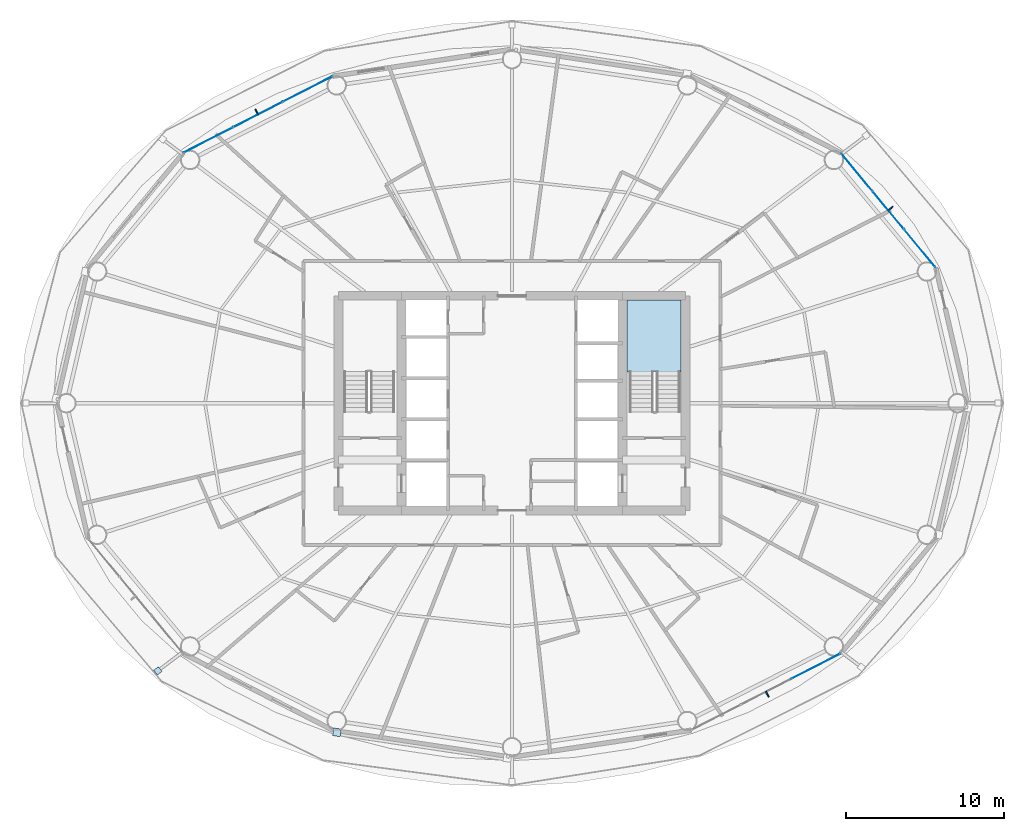
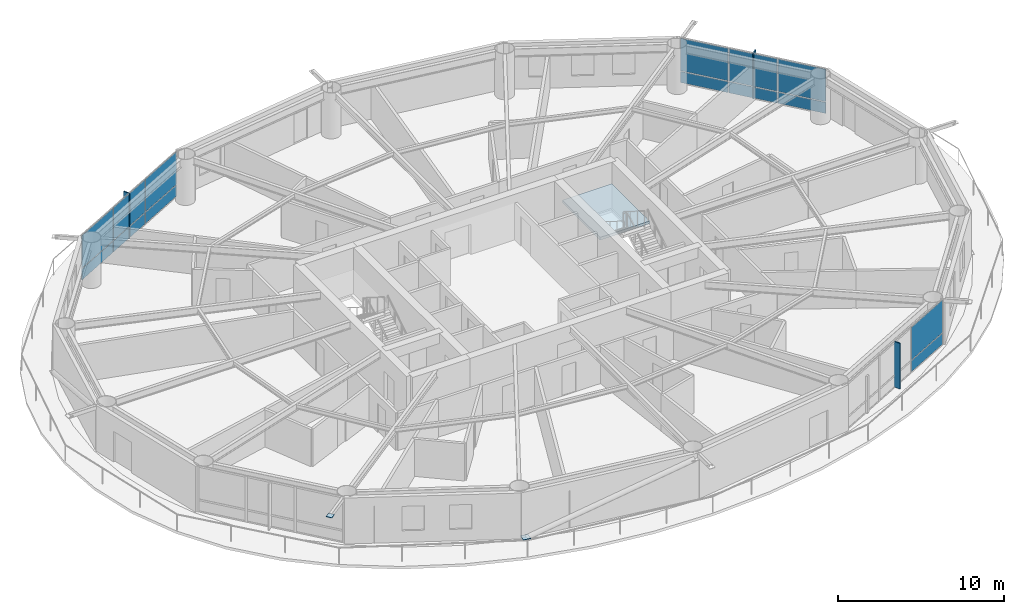
# One storey, part 16 of 24: 19 plates, 1 slab, 4 elements without a shape of their own.
"""IFC4 building model written with IfcOpenShell, lengths in metres."""

import ifcopenshell
import ifcopenshell.guid

model = None  # the IFC model being written
_history = None  # IfcOwnerHistory: only IFC2X3 demands one
_inside = {}  # id of a spatial element -> (the spatial element, [elements in it])
_under = {}  # id of a project, library or spatial element -> (it, [spatial elements below it])
_declared = {}  # id of a project -> (the project, [libraries it declares])
_typed = {}  # id of a type object -> (the type object, [elements of that type])
_made_of = {}  # id of a material, layer set ... -> (it, [elements and type objects made of it])


def new_model(schema):
    """Start an empty IFC model of exactly this schema.

    Asked for "IFC4X3", IfcOpenShell would pick the latest addendum, in which some entities
    have other attributes; the version numbers below select the first issue.
    IFC2X3 requires an IfcOwnerHistory on every rooted entity: one is made here for all.
    """
    global model, _history
    if schema == "IFC4X3":
        model = ifcopenshell.file(schema_version=(4, 3, 0, 0))
    else:
        model = ifcopenshell.file(schema=schema)
    _inside.clear()
    _under.clear()
    _declared.clear()
    _typed.clear()
    _made_of.clear()
    _history = None
    if model.schema == "IFC2X3":
        org = make("IfcOrganization", Name="unknown")
        user = make(
            "IfcPersonAndOrganization",
            ThePerson=make("IfcPerson", FamilyName="unknown"),
            TheOrganization=org,
        )
        app = make(
            "IfcApplication",
            ApplicationDeveloper=org,
            Version="unknown",
            ApplicationFullName="unknown",
            ApplicationIdentifier="unknown",
        )
        _history = make(
            "IfcOwnerHistory",
            OwningUser=user,
            OwningApplication=app,
            ChangeAction="ADDED",
            CreationDate=0,
        )
    return model


def make(cls, **values):
    """One entity of the class cls with the attributes given. An attribute that is None is left unset."""
    return model.create_entity(
        cls, **{name: value for name, value in values.items() if value is not None}
    )


def rooted(cls, **values):
    """An entity with a GlobalId (a new one), such as an element, a storey or a relation."""
    return make(cls, GlobalId=ifcopenshell.guid.new(), OwnerHistory=_history, **values)


def si_unit(unit_type, name, prefix=None):
    """IfcSIUnit, for example si_unit("LENGTHUNIT", "METRE", prefix="MILLI")."""
    return make("IfcSIUnit", UnitType=unit_type, Prefix=prefix, Name=name)


def assignment(units):
    """IfcUnitAssignment: the units of a project."""
    return None if units is None else make("IfcUnitAssignment", Units=units)


def point(xyz):
    """IfcCartesianPoint."""
    return None if xyz is None else make("IfcCartesianPoint", Coordinates=xyz)


def direction(xyz):
    """IfcDirection."""
    return None if xyz is None else make("IfcDirection", DirectionRatios=xyz)


def frame(location, z_axis=None, x_axis=None):
    """IfcAxis2Placement3D, a coordinate frame: its origin and axes. An axis left out is left unset."""
    return make(
        "IfcAxis2Placement3D",
        Location=point(location),
        Axis=direction(z_axis),
        RefDirection=direction(x_axis),
    )


def frame_2d(location, x_axis=None):
    """IfcAxis2Placement2D, a coordinate frame in the plane: its origin and x axis."""
    return make(
        "IfcAxis2Placement2D", Location=point(location), RefDirection=direction(x_axis)
    )


def origin():
    """The frame at (0, 0, 0) with its axes left unset."""
    return frame((0.0, 0.0, 0.0))


def origin_2d():
    """The frame at (0, 0) in the plane with its x axis left unset."""
    return frame_2d((0.0, 0.0))


def place(relative_to, where):
    """IfcLocalPlacement: puts the frame where relative to a parent placement (None: the world)."""
    return make(
        "IfcLocalPlacement", PlacementRelTo=relative_to, RelativePlacement=where
    )


def context(
    kind, dimensions, precision=None, world=None, true_north=None, identifier=None
):
    """IfcGeometricRepresentationContext, for example the 3D "Model" context."""
    return make(
        "IfcGeometricRepresentationContext",
        ContextIdentifier=identifier,
        ContextType=kind,
        CoordinateSpaceDimension=dimensions,
        Precision=precision,
        WorldCoordinateSystem=world,
        TrueNorth=true_north,
    )


def subcontext(parent, identifier, kind, view, scale=None):
    """IfcGeometricRepresentationSubContext, for example "Body" below "Model"."""
    return make(
        "IfcGeometricRepresentationSubContext",
        ContextIdentifier=identifier,
        ContextType=kind,
        ParentContext=parent,
        TargetScale=scale,
        TargetView=view,
    )


def project(units=None, contexts=None):
    """IfcProject with its units and contexts."""
    return rooted(
        "IfcProject",
        Name="project",
        RepresentationContexts=contexts,
        UnitsInContext=assignment(units),
    )


def spatial(cls, under=None, at=None, **own):
    """A site, building, storey or space (cls), placed at a placement, below another one or the project."""
    s = rooted(cls, ObjectPlacement=at, **own)
    if under is not None:
        _under.setdefault(under.id(), (under, []))[1].append(s)
    return s


def polyline(points):
    """IfcPolyline through the points."""
    return make("IfcPolyline", Points=[point(p) for p in points])


def profile(cls, at=None, kind="AREA", **sizes):
    """A parametric profile (cls). Its sizes go by their IFC names, for example OverallWidth=200.0."""
    return make(cls, ProfileType=kind, Position=at, **sizes)


def rectangle(**sizes):
    """IfcRectangleProfileDef."""
    return profile("IfcRectangleProfileDef", **sizes)


def outline(outer, holes=None, kind="AREA"):
    """IfcArbitraryClosedProfileDef: a profile drawn as a closed curve; with holes, ...WithVoids."""
    if holes is None:
        return make("IfcArbitraryClosedProfileDef", ProfileType=kind, OuterCurve=outer)
    return make(
        "IfcArbitraryProfileDefWithVoids",
        ProfileType=kind,
        OuterCurve=outer,
        InnerCurves=holes,
    )


def extrude(swept, where, along, depth):
    """IfcExtrudedAreaSolid: the profile swept, set in the frame where, extruded along a direction by depth."""
    return make(
        "IfcExtrudedAreaSolid",
        SweptArea=swept,
        Position=where,
        ExtrudedDirection=direction(along),
        Depth=depth,
    )


def shape(context_of_items, identifier, shape_type, items):
    """IfcShapeRepresentation: the items that make up one representation, for example the "Body"."""
    return make(
        "IfcShapeRepresentation",
        ContextOfItems=context_of_items,
        RepresentationIdentifier=identifier,
        RepresentationType=shape_type,
        Items=items,
    )


def material(Name=None, Category=None):
    """IfcMaterial."""
    return make("IfcMaterial", Name=Name, Category=Category)


def layer(
    of_material, thickness, ventilated=None, Name=None, Category=None, Priority=None
):
    """IfcMaterialLayer: one layer of a wall or slab, of a material (None: an air gap)."""
    return make(
        "IfcMaterialLayer",
        Material=of_material,
        LayerThickness=thickness,
        IsVentilated=ventilated,
        Name=Name,
        Category=Category,
        Priority=Priority,
    )


def layer_set(layers, Name=None):
    """IfcMaterialLayerSet."""
    return make("IfcMaterialLayerSet", MaterialLayers=layers, LayerSetName=Name)


def made_of(thing, what):
    """Note that an element or type object is made of a material, layer set ...; save() writes the relation."""
    if what is not None:
        _made_of.setdefault(what.id(), (what, []))[1].append(thing)
    return thing


def type_object(cls, material=None, **own):
    """A type object (cls), such as IfcWallType, which elements share."""
    return made_of(rooted(cls, **own), material)


def element(
    cls,
    number,
    at=None,
    inside=None,
    cuts=None,
    type_object=None,
    material=None,
    context=None,
    identifier="Body",
    shape_type=None,
    held_by="IfcProductDefinitionShape",
    body=None,
    shapes=None,
    **own,
):
    """One element of the class cls, such as IfcWall. Its Tag is "e" and its number.

    at: its placement. inside: the storey or other place that contains it. cuts: it is an
    opening in that element (IfcRelVoidsElement). A single representation is given by context,
    identifier, shape_type and body (its items); several are given by shapes. held_by: the class
    of the entity that holds the representations. save() writes the other relations.
    """
    e = rooted(cls, Tag="e%d" % number, ObjectPlacement=at, **own)
    if body is not None:
        shapes = [shape(context, identifier, shape_type, body)]
    if shapes is not None:
        e.Representation = make(held_by, Representations=shapes)
    if inside is not None:
        _inside.setdefault(inside.id(), (inside, []))[1].append(e)
    if cuts is not None:
        rooted(
            "IfcRelVoidsElement", RelatingBuildingElement=cuts, RelatedOpeningElement=e
        )
    if type_object is not None:
        _typed.setdefault(type_object.id(), (type_object, []))[1].append(e)
    return made_of(e, material)


def aggregate(whole, parts):
    """IfcRelAggregates: a whole, such as a stair, and the parts it consists of."""
    return rooted("IfcRelAggregates", RelatingObject=whole, RelatedObjects=parts)


def save(model, path):
    """Write the relations noted so far, then the file.

    IfcRelAggregates (storeys below a building ...), IfcRelContainedInSpatialStructure (elements
    in a storey), IfcRelDefinesByType, IfcRelAssociatesMaterial and IfcRelDeclares: one each for
    every whole, place, type object, material and project.
    """
    for whole, parts in _under.values():
        aggregate(whole, parts)
    for where, things in _inside.values():
        rooted(
            "IfcRelContainedInSpatialStructure",
            RelatedElements=things,
            RelatingStructure=where,
        )
    for kind, things in _typed.values():
        rooted("IfcRelDefinesByType", RelatedObjects=things, RelatingType=kind)
    for what, things in _made_of.values():
        rooted("IfcRelAssociatesMaterial", RelatedObjects=things, RelatingMaterial=what)
    for by, libraries in _declared.values():
        rooted("IfcRelDeclares", RelatingContext=by, RelatedDefinitions=libraries)
    model.write(path)


model = new_model("IFC4")

# Units and contexts
model_context = context("Model", 3, precision=1e-05, world=origin(), true_north=direction((0.0, 1.0)))
body_context = subcontext(model_context, "Body", "Model", "MODEL_VIEW")
ifc_project = project(units=[si_unit("LENGTHUNIT", "METRE"), si_unit("AREAUNIT", "SQUARE_METRE"), si_unit("VOLUMEUNIT", "CUBIC_METRE"), si_unit("PLANEANGLEUNIT", "RADIAN"), si_unit("MASSUNIT", "GRAM", prefix="KILO")], contexts=[model_context])

# Site, building, storey
site_placement = place(None, origin())
site = spatial("IfcSite", under=ifc_project, at=site_placement, CompositionType="ELEMENT")
building_placement = place(site_placement, origin())
building = spatial("IfcBuilding", under=site, at=building_placement, Name="Sarneth Arch Tower", CompositionType="ELEMENT")
storey_placement = place(building_placement, frame((0.0, 0.0, 105.60009765625)))
storey = spatial("IfcBuildingStorey", under=building, at=storey_placement, Name="L26", CompositionType="ELEMENT", Elevation=105.60009765625)

# Curtain wall, plates
ifc_material_1 = material(Name="Anodised aluminium Type AA25 and solar-control low-e laminated IGU", Category="aluminium")
ifc_layer_1 = layer(ifc_material_1, 0.159912109375)
ifc_layer_set_1 = layer_set([ifc_layer_1], Name="Anodised aluminium Type AA25 and solar-control low-e laminated IGU")
curtain_wall_type = type_object("IfcCurtainWallType", Name="CW-HOTEL-MID", PredefinedType="NOTDEFINED", material=ifc_layer_set_1)
curtain_wall_1_placement = place(storey_placement, origin())
curtain_wall_1 = element("IfcCurtainWall", 1, at=curtain_wall_1_placement, inside=storey, type_object=curtain_wall_type, Name="L26 Unitised curtain wall facet 02", PredefinedType="NOTDEFINED")
ifc_material_2 = material(Name="Solar-control low-e laminated IGU", Category="glass")
ifc_layer_2 = layer(ifc_material_2, 0.028076171875)
ifc_layer_set_2 = layer_set([ifc_layer_2], Name="Solar-control low-e laminated IGU")
plate_type_1 = type_object("IfcPlateType", Name="CW-PANEL", PredefinedType="CURTAIN_PANEL", material=ifc_layer_set_2)
plate_1_placement = place(storey_placement, frame((73.84814453125, 51.807861328125, 0.059814453125), z_axis=(0.0, 0.0, 1.0), x_axis=(-0.637515188684, 0.770437787363, 0.0)))
plate_1 = element("IfcPlate", 2, at=plate_1_placement, type_object=plate_type_1, Name="Curtain wall glazed vision pane CW-L26-F02/P00-00", PredefinedType="CURTAIN_PANEL", context=body_context, shape_type="SweptSolid", body=[
    extrude(rectangle(XDim=3.058349609375, YDim=0.028076171875, at=origin_2d()), origin(), (0.0, 0.0, 1.0), 0.81005859375),
])
plate_2_placement = place(storey_placement, frame((73.84814453125, 51.807861328125, 0.93017578125), z_axis=(0.0, 0.0, 1.0), x_axis=(-0.637515188684, 0.770437787363, 0.0)))
plate_2 = element("IfcPlate", 3, at=plate_2_placement, type_object=plate_type_1, Name="Curtain wall glazed vision pane CW-L26-F02/P00-01", PredefinedType="CURTAIN_PANEL", context=body_context, shape_type="SweptSolid", body=[
    extrude(rectangle(XDim=3.058349609375, YDim=0.028076171875, at=origin_2d()), origin(), (0.0, 0.0, 1.0), 2.389892578125),
])
plate_3_placement = place(storey_placement, frame((71.8505859375, 54.221923828125, 0.059814453125), z_axis=(0.0, 0.0, 1.0), x_axis=(-0.637515188684, 0.770437787363, 0.0)))
plate_3 = element("IfcPlate", 4, at=plate_3_placement, type_object=plate_type_1, Name="Curtain wall glazed vision pane CW-L26-F02/P01-00", PredefinedType="CURTAIN_PANEL", context=body_context, shape_type="SweptSolid", body=[
    extrude(rectangle(XDim=3.08837890625, YDim=0.028076171875, at=origin_2d()), origin(), (0.0, 0.0, 1.0), 0.81005859375),
])
plate_4_placement = place(storey_placement, frame((71.8505859375, 54.221923828125, 0.93017578125), z_axis=(0.0, 0.0, 1.0), x_axis=(-0.637515188684, 0.770437787363, 0.0)))
plate_4 = element("IfcPlate", 5, at=plate_4_placement, type_object=plate_type_1, Name="Curtain wall glazed vision pane CW-L26-F02/P01-01", PredefinedType="CURTAIN_PANEL", context=body_context, shape_type="SweptSolid", body=[
    extrude(rectangle(XDim=3.08837890625, YDim=0.028076171875, at=origin_2d()), origin(), (0.0, 0.0, 1.0), 2.389892578125),
])
plate_5_placement = place(storey_placement, frame((69.85302734375, 56.635986328125, 0.059814453125), z_axis=(0.0, 0.0, 1.0), x_axis=(-0.637515188684, 0.770437787363, 0.0)))
plate_5 = element("IfcPlate", 6, at=plate_5_placement, type_object=plate_type_1, Name="Curtain wall glazed vision pane CW-L26-F02/P02-00", PredefinedType="CURTAIN_PANEL", context=body_context, shape_type="SweptSolid", body=[
    extrude(rectangle(XDim=3.058349609375, YDim=0.028076171875, at=origin_2d()), origin(), (0.0, 0.0, 1.0), 0.81005859375),
])
plate_6_placement = place(storey_placement, frame((69.85302734375, 56.635986328125, 0.93017578125), z_axis=(0.0, 0.0, 1.0), x_axis=(-0.637515188684, 0.770437787363, 0.0)))
plate_6 = element("IfcPlate", 7, at=plate_6_placement, type_object=plate_type_1, Name="Curtain wall glazed vision pane CW-L26-F02/P02-01", PredefinedType="CURTAIN_PANEL", context=body_context, shape_type="SweptSolid", body=[
    extrude(rectangle(XDim=3.058349609375, YDim=0.028076171875, at=origin_2d()), origin(), (0.0, 0.0, 1.0), 2.389892578125),
])
aggregate(curtain_wall_1, [plate_1, plate_2, plate_3, plate_4, plate_5, plate_6])

curtain_wall_2_placement = place(storey_placement, origin())
curtain_wall_2 = element("IfcCurtainWall", 8, at=curtain_wall_2_placement, inside=storey, type_object=curtain_wall_type, Name="L26 Unitised curtain wall facet 06", PredefinedType="NOTDEFINED")
plate_7_placement = place(storey_placement, frame((35.053955078125, 61.905517578125, 0.059814453125), z_axis=(0.0, 0.0, 1.0), x_axis=(-0.889963703649, -0.456031365356, 0.0)))
plate_7 = element("IfcPlate", 9, at=plate_7_placement, type_object=plate_type_1, Name="Curtain wall glazed vision pane CW-L26-F06/P00-00", PredefinedType="CURTAIN_PANEL", context=body_context, shape_type="SweptSolid", body=[
    extrude(rectangle(XDim=3.464111328125, YDim=0.028076171875, at=origin_2d()), origin(), (0.0, 0.0, 1.0), 0.81005859375),
])
plate_8_placement = place(storey_placement, frame((35.053955078125, 61.905517578125, 0.93017578125), z_axis=(0.0, 0.0, 1.0), x_axis=(-0.889963703649, -0.456031365356, 0.0)))
plate_8 = element("IfcPlate", 10, at=plate_8_placement, type_object=plate_type_1, Name="Curtain wall glazed vision pane CW-L26-F06/P00-01", PredefinedType="CURTAIN_PANEL", context=body_context, shape_type="SweptSolid", body=[
    extrude(rectangle(XDim=3.464111328125, YDim=0.028076171875, at=origin_2d()), origin(), (0.0, 0.0, 1.0), 2.389892578125),
])
plate_9_placement = place(storey_placement, frame((31.904296875, 60.29150390625, 0.059814453125), z_axis=(0.0, 0.0, 1.0), x_axis=(-0.889963703649, -0.456031365356, 0.0)))
plate_9 = element("IfcPlate", 11, at=plate_9_placement, type_object=plate_type_1, Name="Curtain wall glazed vision pane CW-L26-F06/P01-00", PredefinedType="CURTAIN_PANEL", context=body_context, shape_type="SweptSolid", body=[
    extrude(rectangle(XDim=3.493896484375, YDim=0.028076171875, at=origin_2d()), origin(), (0.0, 0.0, 1.0), 0.81005859375),
])
plate_10_placement = place(storey_placement, frame((31.904296875, 60.29150390625, 0.93017578125), z_axis=(0.0, 0.0, 1.0), x_axis=(-0.889963703649, -0.456031365356, 0.0)))
plate_10 = element("IfcPlate", 12, at=plate_10_placement, type_object=plate_type_1, Name="Curtain wall glazed vision pane CW-L26-F06/P01-01", PredefinedType="CURTAIN_PANEL", context=body_context, shape_type="SweptSolid", body=[
    extrude(rectangle(XDim=3.493896484375, YDim=0.028076171875, at=origin_2d()), origin(), (0.0, 0.0, 1.0), 2.389892578125),
])
plate_11_placement = place(storey_placement, frame((28.7548828125, 58.677734375, 0.059814453125), z_axis=(0.0, 0.0, 1.0), x_axis=(-0.889963703649, -0.456031365356, 0.0)))
plate_11 = element("IfcPlate", 13, at=plate_11_placement, type_object=plate_type_1, Name="Curtain wall glazed vision pane CW-L26-F06/P02-00", PredefinedType="CURTAIN_PANEL", context=body_context, shape_type="SweptSolid", body=[
    extrude(rectangle(XDim=3.464111328125, YDim=0.028076171875, at=origin_2d()), origin(), (0.0, 0.0, 1.0), 0.81005859375),
])
plate_12_placement = place(storey_placement, frame((28.7548828125, 58.677734375, 0.93017578125), z_axis=(0.0, 0.0, 1.0), x_axis=(-0.889963703649, -0.456031365356, 0.0)))
plate_12 = element("IfcPlate", 14, at=plate_12_placement, type_object=plate_type_1, Name="Curtain wall glazed vision pane CW-L26-F06/P02-01", PredefinedType="CURTAIN_PANEL", context=body_context, shape_type="SweptSolid", body=[
    extrude(rectangle(XDim=3.464111328125, YDim=0.028076171875, at=origin_2d()), origin(), (0.0, 0.0, 1.0), 2.389892578125),
])
aggregate(curtain_wall_2, [plate_7, plate_8, plate_9, plate_10, plate_11, plate_12])

curtain_wall_3_placement = place(storey_placement, origin())
curtain_wall_3 = element("IfcCurtainWall", 15, at=curtain_wall_3_placement, inside=storey, type_object=curtain_wall_type, Name="L26 Unitised curtain wall facet 14", PredefinedType="NOTDEFINED")
plate_13_placement = place(storey_placement, frame((67.2451171875, 25.322265625, 0.059814453125), z_axis=(0.0, 0.0, 1.0), x_axis=(0.889963703649, 0.456031365356, 0.0)))
plate_13 = element("IfcPlate", 16, at=plate_13_placement, type_object=plate_type_1, Name="Curtain wall glazed vision pane CW-L26-F14/P02-00", PredefinedType="CURTAIN_PANEL", context=body_context, shape_type="SweptSolid", body=[
    extrude(rectangle(XDim=3.464111328125, YDim=0.028076171875, at=origin_2d()), origin(), (0.0, 0.0, 1.0), 0.81005859375),
])
plate_14_placement = place(storey_placement, frame((67.2451171875, 25.322265625, 0.93017578125), z_axis=(0.0, 0.0, 1.0), x_axis=(0.889963703649, 0.456031365356, 0.0)))
plate_14 = element("IfcPlate", 17, at=plate_14_placement, type_object=plate_type_1, Name="Curtain wall glazed vision pane CW-L26-F14/P02-01", PredefinedType="CURTAIN_PANEL", context=body_context, shape_type="SweptSolid", body=[
    extrude(rectangle(XDim=3.464111328125, YDim=0.028076171875, at=origin_2d()), origin(), (0.0, 0.0, 1.0), 2.389892578125),
])
aggregate(curtain_wall_3, [plate_13, plate_14])

# Plates
ifc_material_3 = material(Name="Steel S355", Category="steel")
ifc_layer_3 = layer(ifc_material_3, 0.035888671875)
ifc_layer_set_3 = layer_set([ifc_layer_3], Name="Steel S355")
plate_type_2 = type_object("IfcPlateType", Name="PLT-GUSSET-30", PredefinedType="SHEET", material=ifc_layer_set_3)
plate_15_placement = place(storey_placement, frame((25.55517578125, 25.0380859375, 3.2021484375), z_axis=(0.0, 0.0, 1.0), x_axis=(-0.797794439539, -0.602929541689, 0.0)))
element("IfcPlate", 18, at=plate_15_placement, inside=storey, type_object=plate_type_2, Name="Steel end cap plate GP-1", PredefinedType="SHEET", context=body_context, shape_type="SweptSolid", body=[
    extrude(rectangle(XDim=0.3798828125, YDim=0.3798828125, at=origin_2d()), origin(), (0.0, 0.0, 1.0), 0.035888671875),
])
plate_16_placement = place(storey_placement, frame((36.9072265625, 21.140380859375, 0.001953125), z_axis=(0.0, 0.0, 1.0), x_axis=(0.988860535448, -0.148845024885, 0.0)))
element("IfcPlate", 19, at=plate_16_placement, inside=storey, type_object=plate_type_2, Name="Steel end cap plate GP-1", PredefinedType="SHEET", context=body_context, shape_type="SweptSolid", body=[
    extrude(rectangle(XDim=0.486083984375, YDim=0.486083984375, at=origin_2d()), origin(), (0.0, 0.0, 1.0), 0.035888671875),
])
ifc_material_4 = material(Name="Extruded glazed terracotta baguette fin on Aluminium 6063-T6 carrier", Category="masonry")
ifc_layer_4 = layer(ifc_material_4, 0.080078125)
ifc_layer_set_4 = layer_set([ifc_layer_4], Name="Extruded glazed terracotta baguette fin on Aluminium 6063-T6 carrier")
plate_type_3 = type_object("IfcPlateType", Name="SHADE-TERRA-FIN", PredefinedType="SHEET", material=ifc_layer_set_4)
for number, where, z_axis, x_axis, name in (
    (20, (71.981689453125, 54.330322265625, 0.009765625), (0.0, 0.0, 1.0), (0.770401979567, 0.63755845997, 0.0), "L26 Terracotta vertical shading fin 02"),
    (21, (31.826904296875, 60.44287109375, 0.009765625), (0.0, 0.0, 1.0), (-0.456010959102, 0.889974159838, 0.0), "L26 Terracotta vertical shading fin 06"),
    (22, (64.173095703125, 23.55712890625, 0.009765625), (0.0, 0.0, 1.0), (0.456010959102, -0.889974159838, 0.0), "L26 Terracotta vertical shading fin 14"),
):
    element("IfcPlate", number, at=place(storey_placement, frame(where, z_axis=z_axis, x_axis=x_axis)), inside=storey, type_object=plate_type_3, Name=name, PredefinedType="SHEET", context=body_context, shape_type="SweptSolid", body=[
        extrude(rectangle(XDim=0.419921875, YDim=0.080078125, at=origin_2d()), origin(), (0.0, 0.0, 1.0), 3.360107421875),
    ])

# Stair, slab
ifc_material_5 = material(Name="Concrete C50/60", Category="concrete")
stair_type = type_object("IfcStairType", Name="STAIR-CORE-RC", PredefinedType="HALF_TURN_STAIR", material=ifc_material_5)
stair_placement = place(storey_placement, origin())
stair = element("IfcStair", 23, at=stair_placement, inside=storey, type_object=stair_type, Name="L26 Core Exit Stair 2", PredefinedType="HALF_TURN_STAIR")
ifc_material_6 = material(Name="Concrete C50/60", Category="concrete")
ifc_layer_5 = layer(ifc_material_6, 0.199951171875)
ifc_layer_set_5 = layer_set([ifc_layer_5], Name="Concrete C50/60")
slab_type = type_object("IfcSlabType", Name="SLAB-LANDING-200", PredefinedType="LANDING", material=ifc_layer_set_5)
slab_placement = place(storey_placement, frame((0.0, 0.0, 1.599853515625)))
slab = element("IfcSlab", 24, at=slab_placement, type_object=slab_type, Name="ST-2 landing 1", PredefinedType="LANDING", context=body_context, shape_type="SweptSolid", body=[
    extrude(outline(polyline([(55.27490234375, 43.985107421875), (58.72509765625, 43.985107421875), (58.72509765625, 48.52490234375), (55.27490234375, 48.52490234375), (55.27490234375, 43.985107421875)])), origin(), (0.0, 0.0, 1.0), 0.199951171875),
])
aggregate(stair, [slab])

save(model, "model.ifc")
